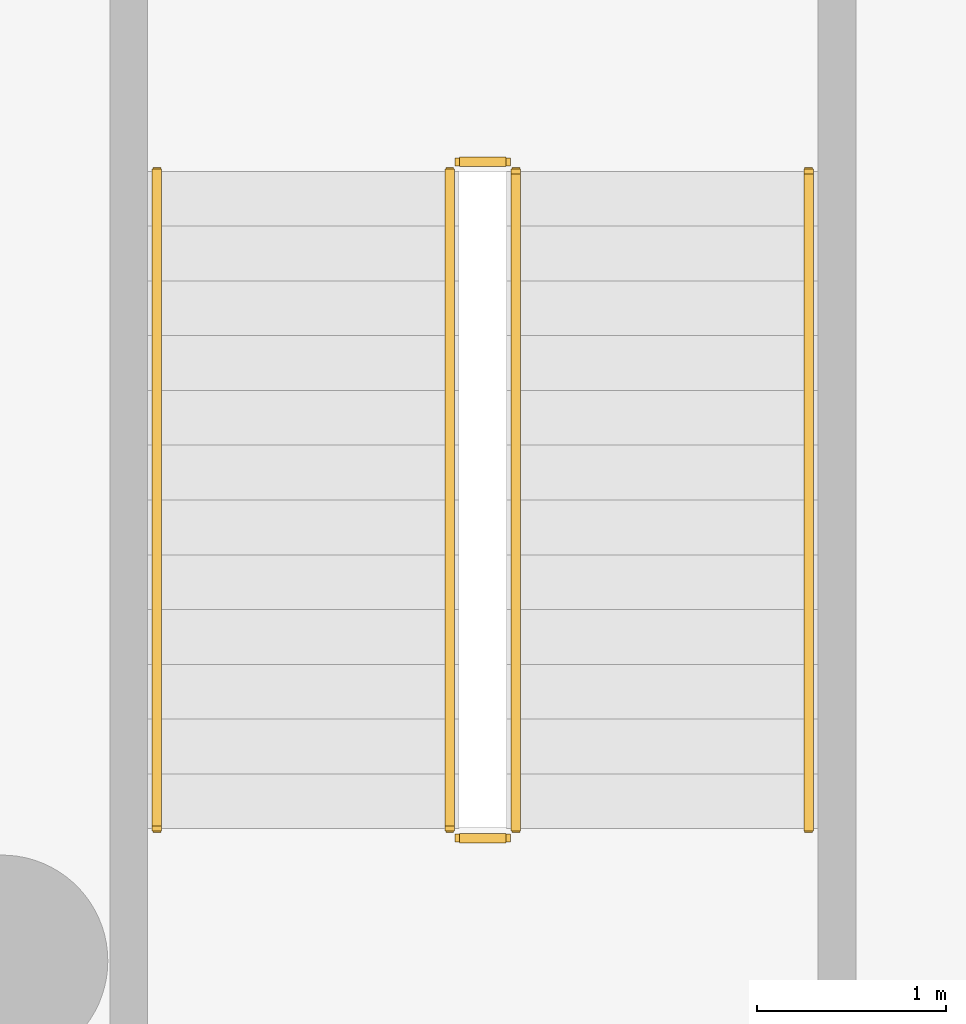
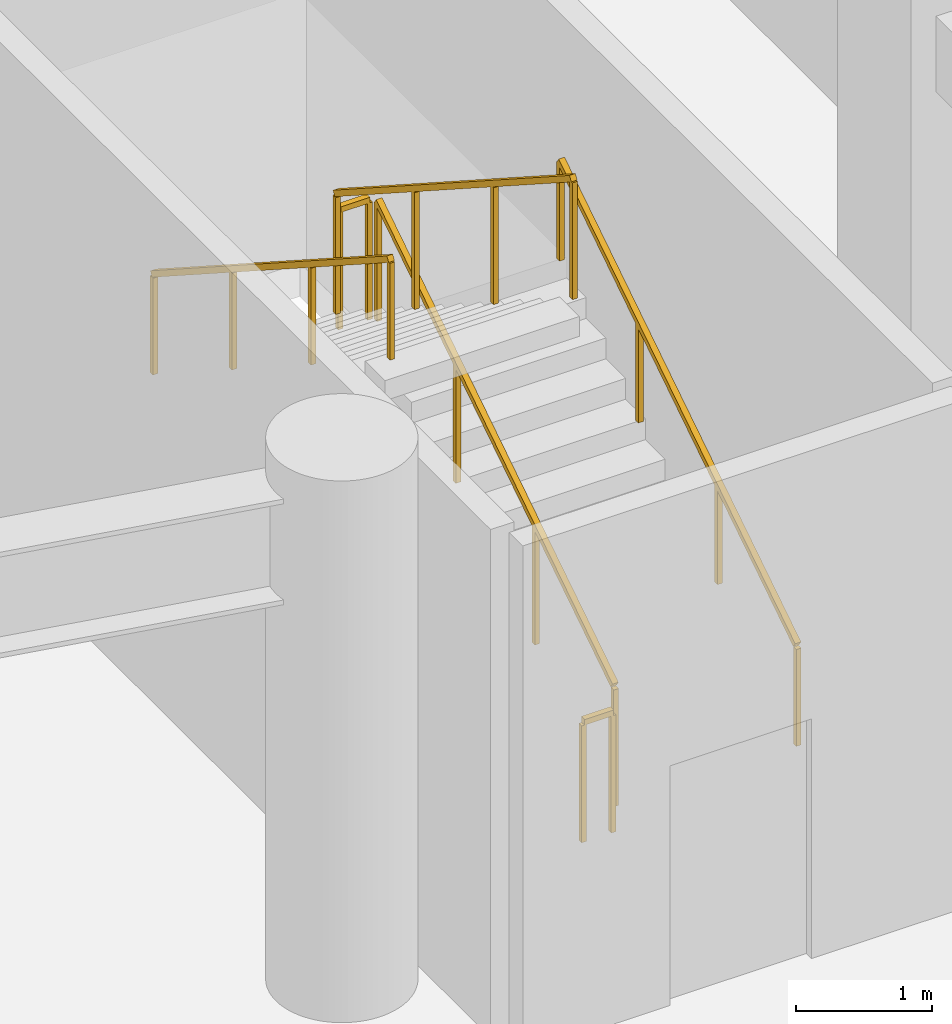
# One storey, part 8 of 8: 6 railings.
"""IFC4 building model written with IfcOpenShell, lengths in metres."""

from ifc_helpers import new_model, si_unit, derived_unit, direction, frame, origin, origin_2d, place, context, subcontext, project, spatial, rectangle, extrude, material, type_object, element, save


model = new_model("IFC4")

# Units and contexts
model_context = context("Model", 3, precision=1e-05, world=origin(), true_north=direction((0.0, 1.0)))
body_context = subcontext(model_context, "Body", "Model", "MODEL_VIEW")
ifc_project = project(units=[si_unit("LENGTHUNIT", "METRE"), si_unit("AREAUNIT", "SQUARE_METRE"), si_unit("VOLUMEUNIT", "CUBIC_METRE"), si_unit("PLANEANGLEUNIT", "RADIAN"), si_unit("MASSUNIT", "GRAM", prefix="KILO"), derived_unit("THERMALTRANSMITTANCEUNIT", [(si_unit("POWERUNIT", "WATT"), 1), (si_unit("LENGTHUNIT", "METRE"), -2), (si_unit("THERMODYNAMICTEMPERATUREUNIT", "KELVIN"), -1)])], contexts=[model_context])

# Site, building, storey
site_placement = place(None, origin())
site = spatial("IfcSite", under=ifc_project, at=site_placement, CompositionType="ELEMENT")
building_placement = place(site_placement, origin())
building = spatial("IfcBuilding", under=site, at=building_placement, Name="Koralith Skygarden Medical Center", CompositionType="ELEMENT")
storey_placement = place(building_placement, frame((0.0, 0.0, -4.860107421875)))
storey = spatial("IfcBuildingStorey", under=building, at=storey_placement, Name="B1", CompositionType="ELEMENT", Elevation=-4.860107421875)

# Railings
ifc_material = material(Name="Steel ASTM A500 Grade C", Category="steel")
railing_type_1 = type_object("IfcRailingType", Name="Stair Flight Tubular Handrail 920", PredefinedType="HANDRAIL", material=ifc_material)
railing_1_placement = place(storey_placement, frame((68.64990234375, 23.199951171875, 0.18701171875)))
element("IfcRailing", 1, at=railing_1_placement, inside=storey, type_object=railing_type_1, Name="B1 ST5 stair handrail 1", PredefinedType="HANDRAIL", context=body_context, shape_type="SweptSolid", body=[
    extrude(rectangle(XDim=0.050048828125, YDim=0.050048828125, at=origin_2d()), frame((0.0, 0.001708984375, 0.89599609375), z_axis=(0.0, 0.840514944087, 0.541788361602), x_axis=(-1.0, 0.0, 0.0)), (0.0, 0.0, 1.0), 4.13623046875),
    extrude(rectangle(XDim=0.0419921875, YDim=0.0419921875, at=origin_2d()), origin(), (0.0, 0.0, 1.0), 0.867919921875),
    extrude(rectangle(XDim=0.0419921875, YDim=0.0419921875, at=origin_2d()), frame((0.0, 1.159912109375, 0.747802734375)), (0.0, 0.0, 1.0), 0.867919921875),
    extrude(rectangle(XDim=0.0419921875, YDim=0.0419921875, at=origin_2d()), frame((0.0, 2.320068359375, 1.495361328125)), (0.0, 0.0, 1.0), 0.867919921875),
    extrude(rectangle(XDim=0.0419921875, YDim=0.0419921875, at=origin_2d()), frame((0.0, 3.47998046875, 2.2431640625)), (0.0, 0.0, 1.0), 0.867919921875),
])
railing_2_placement = place(storey_placement, frame((65.199951171875, 26.679931640625, 2.616943359375)))
element("IfcRailing", 2, at=railing_2_placement, inside=storey, type_object=railing_type_1, Name="B1 ST5 stair handrail 2", PredefinedType="HANDRAIL", context=body_context, shape_type="SweptSolid", body=[
    extrude(rectangle(XDim=0.050048828125, YDim=0.050048828125, at=origin_2d()), frame((0.0, -0.001708984375, 0.89599609375), z_axis=(0.0, -0.840514944087, 0.541788361602), x_axis=(1.0, 0.0, 0.0)), (0.0, 0.0, 1.0), 4.13623046875),
    extrude(rectangle(XDim=0.0419921875, YDim=0.0419921875, at=origin_2d()), origin(), (0.0, 0.0, 1.0), 0.867919921875),
    extrude(rectangle(XDim=0.0419921875, YDim=0.0419921875, at=origin_2d()), frame((0.0, -1.159912109375, 0.747802734375)), (0.0, 0.0, 1.0), 0.867919921875),
    extrude(rectangle(XDim=0.0419921875, YDim=0.0419921875, at=origin_2d()), frame((0.0, -2.320068359375, 1.495361328125)), (0.0, 0.0, 1.0), 0.867919921875),
    extrude(rectangle(XDim=0.0419921875, YDim=0.0419921875, at=origin_2d()), frame((0.0, -3.47998046875, 2.2431640625)), (0.0, 0.0, 1.0), 0.867919921875),
])
railing_type_2 = type_object("IfcRailingType", Name="Stair Well Safety Guardrail 1100", PredefinedType="GUARDRAIL", material=ifc_material)
railing_3_placement = place(storey_placement, frame((67.10009765625, 23.199951171875, 0.18701171875)))
element("IfcRailing", 3, at=railing_3_placement, inside=storey, type_object=railing_type_2, Name="B1 ST5 stair guard 1", PredefinedType="GUARDRAIL", context=body_context, shape_type="SweptSolid", body=[
    extrude(rectangle(XDim=0.050048828125, YDim=0.050048828125, at=origin_2d()), frame((0.0, 0.001708984375, 1.076171875), z_axis=(0.0, 0.840514944087, 0.541788361602), x_axis=(-1.0, 0.0, 0.0)), (0.0, 0.0, 1.0), 4.13623046875),
    extrude(rectangle(XDim=0.0419921875, YDim=0.0419921875, at=origin_2d()), origin(), (0.0, 0.0, 1.0), 1.048095703125),
    extrude(rectangle(XDim=0.0419921875, YDim=0.0419921875, at=origin_2d()), frame((0.0, 1.159912109375, 0.747802734375)), (0.0, 0.0, 1.0), 1.048095703125),
    extrude(rectangle(XDim=0.0419921875, YDim=0.0419921875, at=origin_2d()), frame((0.0, 2.320068359375, 1.495361328125)), (0.0, 0.0, 1.0), 1.048095703125),
    extrude(rectangle(XDim=0.0419921875, YDim=0.0419921875, at=origin_2d()), frame((0.0, 3.47998046875, 2.2431640625)), (0.0, 0.0, 1.0), 1.048095703125),
])
railing_4_placement = place(storey_placement, frame((67.050048828125, 26.72998046875, 2.43017578125)))
element("IfcRailing", 4, at=railing_4_placement, inside=storey, type_object=railing_type_2, Name="B1 ST5 stair guard 2", PredefinedType="GUARDRAIL", context=body_context, shape_type="SweptSolid", body=[
    extrude(rectangle(XDim=0.050048828125, YDim=0.050048828125, at=origin_2d()), frame((-0.001953125, 0.0, 1.0751953125), z_axis=(-1.0, 0.0, 0.0), x_axis=(0.0, -1.0, 0.0)), (0.0, 0.0, 1.0), 0.24609375),
    extrude(rectangle(XDim=0.0419921875, YDim=0.0419921875, at=origin_2d()), origin(), (0.0, 0.0, 1.0), 1.048095703125),
    extrude(rectangle(XDim=0.0419921875, YDim=0.0419921875, at=origin_2d()), frame((-0.25, 0.0, 0.0)), (0.0, 0.0, 1.0), 1.048095703125),
])
railing_5_placement = place(storey_placement, frame((66.75, 26.679931640625, 2.616943359375)))
element("IfcRailing", 5, at=railing_5_placement, inside=storey, type_object=railing_type_2, Name="B1 ST5 stair guard 3", PredefinedType="GUARDRAIL", context=body_context, shape_type="SweptSolid", body=[
    extrude(rectangle(XDim=0.050048828125, YDim=0.050048828125, at=origin_2d()), frame((0.0, -0.001708984375, 1.076171875), z_axis=(0.0, -0.840514944087, 0.541788361602), x_axis=(1.0, 0.0, 0.0)), (0.0, 0.0, 1.0), 4.13623046875),
    extrude(rectangle(XDim=0.0419921875, YDim=0.0419921875, at=origin_2d()), origin(), (0.0, 0.0, 1.0), 1.048095703125),
    extrude(rectangle(XDim=0.0419921875, YDim=0.0419921875, at=origin_2d()), frame((0.0, -1.159912109375, 0.747802734375)), (0.0, 0.0, 1.0), 1.048095703125),
    extrude(rectangle(XDim=0.0419921875, YDim=0.0419921875, at=origin_2d()), frame((0.0, -2.320068359375, 1.495361328125)), (0.0, 0.0, 1.0), 1.048095703125),
    extrude(rectangle(XDim=0.0419921875, YDim=0.0419921875, at=origin_2d()), frame((0.0, -3.47998046875, 2.2431640625)), (0.0, 0.0, 1.0), 1.048095703125),
])
railing_6_placement = place(storey_placement, frame((67.050048828125, 23.14990234375, 0.0)))
element("IfcRailing", 6, at=railing_6_placement, inside=storey, type_object=railing_type_2, Name="B1 ST5 stair guard 4", PredefinedType="GUARDRAIL", context=body_context, shape_type="SweptSolid", body=[
    extrude(rectangle(XDim=0.050048828125, YDim=0.050048828125, at=origin_2d()), frame((-0.001953125, 0.0, 1.0751953125), z_axis=(-1.0, 0.0, 0.0), x_axis=(0.0, -1.0, 0.0)), (0.0, 0.0, 1.0), 0.24609375),
    extrude(rectangle(XDim=0.0419921875, YDim=0.0419921875, at=origin_2d()), origin(), (0.0, 0.0, 1.0), 1.048095703125),
    extrude(rectangle(XDim=0.0419921875, YDim=0.0419921875, at=origin_2d()), frame((-0.25, 0.0, 0.0)), (0.0, 0.0, 1.0), 1.048095703125),
])

save(model, "model.ifc")
